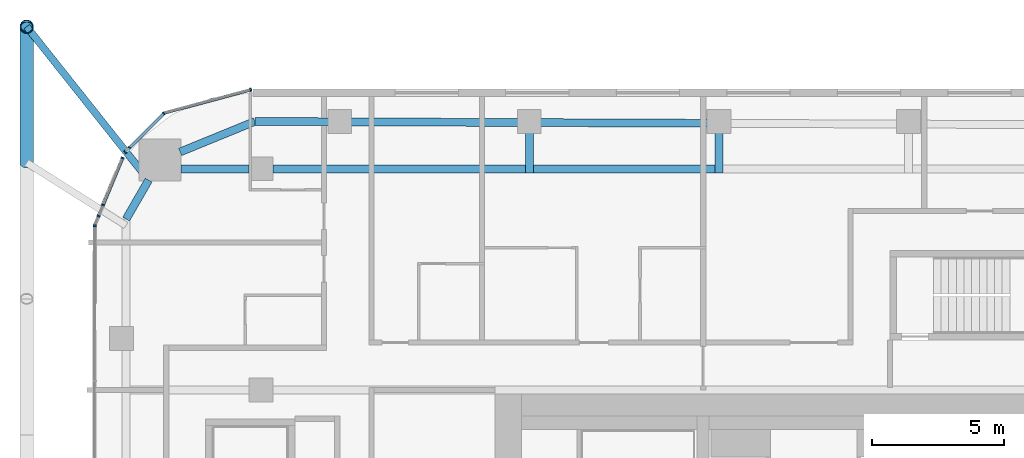
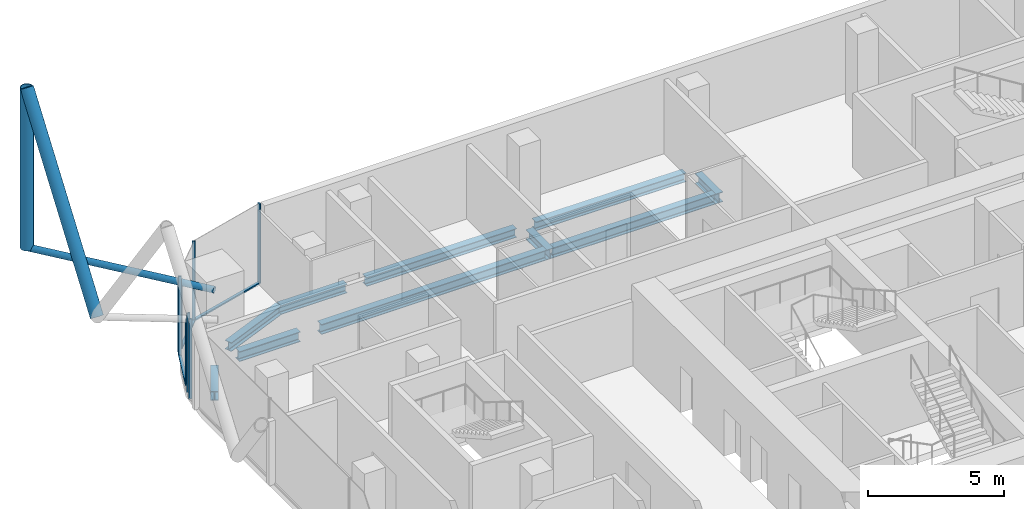
# One storey, part 11 of 36: 14 members, 10 beams, 7 elements without a shape of their own.
"""IFC4 building model written with IfcOpenShell, lengths in metres."""

from ifc_helpers import new_model, si_unit, direction, frame, origin, origin_2d, place, context, subcontext, project, spatial, rectangle, hollow_circle, i_section, extrude, material, layer, layer_set, material_profile, profile_set, type_object, element, aggregate, save


model = new_model("IFC4")

# Units and contexts
model_context = context("Model", 3, precision=1e-05, world=origin(), true_north=direction((0.0, 1.0)))
body_context = subcontext(model_context, "Body", "Model", "MODEL_VIEW")
ifc_project = project(units=[si_unit("LENGTHUNIT", "METRE"), si_unit("AREAUNIT", "SQUARE_METRE"), si_unit("VOLUMEUNIT", "CUBIC_METRE"), si_unit("PLANEANGLEUNIT", "RADIAN"), si_unit("MASSUNIT", "GRAM", prefix="KILO")], contexts=[model_context])

# Site, building, storey
site_placement = place(None, origin())
site = spatial("IfcSite", under=ifc_project, at=site_placement, CompositionType="ELEMENT")
building_placement = place(site_placement, origin())
building = spatial("IfcBuilding", under=site, at=building_placement, Name="Marenta Gate Hotel Tower", CompositionType="ELEMENT")
storey_placement = place(building_placement, frame((0.0, 0.0, 130.10009765625)))
storey = spatial("IfcBuildingStorey", under=building, at=storey_placement, Name="L29", CompositionType="ELEMENT", Elevation=130.10009765625)

# Members
ifc_material_1 = material(Name="Steel S355J2W", Category="steel")
ifc_material_profile_1 = material_profile(ifc_material_1, hollow_circle(Radius=0.25390625, WallThickness=0.02490234375, at=origin_2d()), Name="CHS 508x25")
ifc_profile_set_1 = profile_set([ifc_material_profile_1], Name="Steel S355J2W")
member_type_1 = type_object("IfcMemberType", Name="Diagrid corner post Z2 CHS 508x25", PredefinedType="POST", material=ifc_profile_set_1)
member_1_placement = place(storey_placement, frame((-29.89990234375, 30.60009765625, 3.139892578125), z_axis=(0.0, 0.0, 1.0), x_axis=(1.0, 0.0, 0.0)))
element("IfcMember", 1, at=member_1_placement, inside=storey, type_object=member_type_1, Name="L29-DR-6", PredefinedType="POST", context=body_context, shape_type="SweptSolid", body=[
    extrude(hollow_circle(Radius=0.25390625, WallThickness=0.02490234375, at=origin_2d()), origin(), (0.0, 0.0, 1.0), 7.199951171875),
])
ifc_material_2 = material(Name="Steel S355J2W", Category="steel")
ifc_material_profile_2 = material_profile(ifc_material_2, hollow_circle(Radius=0.25390625, WallThickness=0.0400390625, at=origin_2d()), Name="CHS 508x40")
ifc_profile_set_2 = profile_set([ifc_material_profile_2], Name="Steel S355J2W")
member_type_2 = type_object("IfcMemberType", Name="Diagrid diagonal Z2 CHS 508x40", PredefinedType="BRACE", material=ifc_profile_set_2)
member_2_placement = place(storey_placement, frame((-29.89990234375, 25.429931640625, 3.139892578125), z_axis=(0.0, 0.583279014058, 0.812271870595), x_axis=(-1.0, 0.0, 0.0)))
element("IfcMember", 2, at=member_2_placement, inside=storey, type_object=member_type_2, Name="L29-DG-34", PredefinedType="BRACE", context=body_context, shape_type="SweptSolid", body=[
    extrude(hollow_circle(Radius=0.25390625, WallThickness=0.0400390625, at=origin_2d()), origin(), (0.0, 0.0, 1.0), 8.864013671875),
])

# Beams
ifc_material_3 = material(Name="Steel S355", Category="steel")
ifc_material_profile_3 = material_profile(ifc_material_3, i_section(OverallWidth=0.300048828125, OverallDepth=0.39990234375, WebThickness=0.013427734375, FlangeThickness=0.02392578125, FilletRadius=0.027099609375, at=origin_2d()), Name="HEB 400")
ifc_profile_set_3 = profile_set([ifc_material_profile_3], Name="Steel S355")
beam_type_1 = type_object("IfcBeamType", Name="Edge beam HEB 400", PredefinedType="SPANDREL", material=ifc_profile_set_3)
beam_1_placement = place(storey_placement, frame((-26.121337890625, 23.291748046875, -0.460205078125), z_axis=(0.500015459501, 0.866016478054, 0.0), x_axis=(-0.866016478054, 0.500015459501, 0.0)))
element("IfcBeam", 3, at=beam_1_placement, inside=storey, type_object=beam_type_1, Name="L29-EB-11", PredefinedType="SPANDREL", context=body_context, shape_type="SweptSolid", body=[
    extrude(i_section(OverallWidth=0.300048828125, OverallDepth=0.39990234375, WebThickness=0.013427734375, FlangeThickness=0.02392578125, FilletRadius=0.027099609375, at=origin_2d()), origin(), (0.0, 0.0, 1.0), 1.70703125),
])
beam_2_placement = place(storey_placement, frame((-24.072509765625, 25.839111328125, -0.460205078125), z_axis=(0.925565978946, 0.378586342356, 0.0), x_axis=(-0.378586342356, 0.925565978946, 0.0)))
element("IfcBeam", 4, at=beam_2_placement, inside=storey, type_object=beam_type_1, Name="L29-EB-12", PredefinedType="SPANDREL", context=body_context, shape_type="SweptSolid", body=[
    extrude(i_section(OverallWidth=0.300048828125, OverallDepth=0.39990234375, WebThickness=0.013427734375, FlangeThickness=0.02392578125, FilletRadius=0.027099609375, at=origin_2d()), origin(), (0.0, 0.0, 1.0), 3.06640625),
])
beam_3_placement = place(storey_placement, frame((-21.234375, 27.0, -0.460205078125), z_axis=(0.999991706293, -0.004072756516, 0.0), x_axis=(0.004072756516, 0.999991706293, 0.0)))
element("IfcBeam", 5, at=beam_3_placement, inside=storey, type_object=beam_type_1, Name="L29-EB-13", PredefinedType="SPANDREL", context=body_context, shape_type="SweptSolid", body=[
    extrude(i_section(OverallWidth=0.300048828125, OverallDepth=0.39990234375, WebThickness=0.013427734375, FlangeThickness=0.02392578125, FilletRadius=0.027099609375, at=origin_2d()), origin(), (0.0, 0.0, 1.0), 2.8173828125),
])
beam_4_placement = place(storey_placement, frame((-17.596923828125, 26.985107421875, -0.460205078125), z_axis=(0.999991780748, -0.00405443424, 0.0), x_axis=(0.00405443424, 0.999991780748, 0.0)))
element("IfcBeam", 6, at=beam_4_placement, inside=storey, type_object=beam_type_1, Name="L29-EB-14", PredefinedType="SPANDREL", context=body_context, shape_type="SweptSolid", body=[
    extrude(i_section(OverallWidth=0.300048828125, OverallDepth=0.39990234375, WebThickness=0.013427734375, FlangeThickness=0.02392578125, FilletRadius=0.027099609375, at=origin_2d()), origin(), (0.0, 0.0, 1.0), 6.3828125),
])
beam_5_placement = place(storey_placement, frame((-10.39404296875, 26.955810546875, -0.460205078125), z_axis=(0.999991624297, -0.004092839529, 0.0), x_axis=(0.004092839529, 0.999991624297, 0.0)))
element("IfcBeam", 7, at=beam_5_placement, inside=storey, type_object=beam_type_1, Name="L29-EB-15", PredefinedType="SPANDREL", context=body_context, shape_type="SweptSolid", body=[
    extrude(i_section(OverallWidth=0.300048828125, OverallDepth=0.39990234375, WebThickness=0.013427734375, FlangeThickness=0.02392578125, FilletRadius=0.027099609375, at=origin_2d()), origin(), (0.0, 0.0, 1.0), 6.382568359375),
])

# Member
ifc_material_4 = material(Name="Steel S355J2W", Category="steel")
ifc_material_profile_4 = material_profile(ifc_material_4, hollow_circle(Radius=0.136474609375, WallThickness=0.012451171875, at=origin_2d()), Name="CHS 273x12.5")
ifc_profile_set_4 = profile_set([ifc_material_profile_4], Name="Steel S355J2W")
member_type_3 = type_object("IfcMemberType", Name="Floor tie CHS 273x12.5", PredefinedType="STRUT", material=ifc_profile_set_4)
member_3_placement = place(storey_placement, frame((-29.89990234375, 30.60009765625, 3.139892578125), z_axis=(0.622094046149, -0.782942525187, 0.0), x_axis=(0.782942525187, 0.622094046149, 0.0)))
element("IfcMember", 8, at=member_3_placement, inside=storey, type_object=member_type_3, Name="L29-DR-22", PredefinedType="STRUT", context=body_context, shape_type="SweptSolid", body=[
    extrude(hollow_circle(Radius=0.136474609375, WallThickness=0.012451171875, at=origin_2d()), origin(), (0.0, 0.0, 1.0), 7.43896484375),
])

# Beams
ifc_material_5 = material(Name="Steel S355", Category="steel")
ifc_material_profile_5 = material_profile(ifc_material_5, i_section(OverallWidth=0.300048828125, OverallDepth=0.449951171875, WebThickness=0.013916015625, FlangeThickness=0.02587890625, FilletRadius=0.027099609375, at=origin_2d()), Name="HEB 450")
ifc_profile_set_5 = profile_set([ifc_material_profile_5], Name="Steel S355")
beam_type_2 = type_object("IfcBeamType", Name="Girder HEB 450", PredefinedType="BEAM", material=ifc_profile_set_5)
beam_6_placement = place(storey_placement, frame((-24.035400390625, 25.199951171875, -0.485107421875), z_axis=(1.0, 0.0, 0.0), x_axis=(0.0, 1.0, 0.0)))
element("IfcBeam", 9, at=beam_6_placement, inside=storey, type_object=beam_type_2, Name="L29-GD-29", PredefinedType="BEAM", context=body_context, shape_type="SweptSolid", body=[
    extrude(i_section(OverallWidth=0.300048828125, OverallDepth=0.449951171875, WebThickness=0.013916015625, FlangeThickness=0.02587890625, FilletRadius=0.027099609375, at=origin_2d()), origin(), (0.0, 0.0, 1.0), 2.58544921875),
])
beam_7_placement = place(storey_placement, frame((-20.550048828125, 25.199951171875, -0.485107421875), z_axis=(1.0, 0.0, 0.0), x_axis=(0.0, 1.0, 0.0)))
element("IfcBeam", 10, at=beam_7_placement, inside=storey, type_object=beam_type_2, Name="L29-GD-30", PredefinedType="BEAM", context=body_context, shape_type="SweptSolid", body=[
    extrude(i_section(OverallWidth=0.300048828125, OverallDepth=0.449951171875, WebThickness=0.013916015625, FlangeThickness=0.02587890625, FilletRadius=0.027099609375, at=origin_2d()), origin(), (0.0, 0.0, 1.0), 9.595947265625),
])
beam_8_placement = place(storey_placement, frame((-10.654052734375, 25.199951171875, -0.485107421875), z_axis=(1.0, 0.0, 0.0), x_axis=(0.0, 1.0, 0.0)))
element("IfcBeam", 11, at=beam_8_placement, inside=storey, type_object=beam_type_2, Name="L29-GD-31", PredefinedType="BEAM", context=body_context, shape_type="SweptSolid", body=[
    extrude(i_section(OverallWidth=0.300048828125, OverallDepth=0.449951171875, WebThickness=0.013916015625, FlangeThickness=0.02587890625, FilletRadius=0.027099609375, at=origin_2d()), origin(), (0.0, 0.0, 1.0), 6.902587890625),
])
ifc_material_6 = material(Name="Steel S355", Category="steel")
ifc_material_profile_6 = material_profile(ifc_material_6, i_section(OverallWidth=0.300048828125, OverallDepth=0.449951171875, WebThickness=0.013916015625, FlangeThickness=0.02587890625, FilletRadius=0.027099609375, at=origin_2d()), Name="HEB 450")
ifc_profile_set_6 = profile_set([ifc_material_profile_6], Name="Steel S355")
beam_type_3 = type_object("IfcBeamType", Name="Girder bracket HEB 450", PredefinedType="BEAM", material=ifc_profile_set_6)
for number, where, z_axis, x_axis, name in (
    (12, (-10.80419921875, 25.050048828125, -0.485107421875), (0.0, 1.0, 0.0), (-1.0, 0.0, 0.0), "L29-GS-1"),
    (13, (-3.601318359375, 25.050048828125, -0.485107421875), (0.0, 1.0, 0.0), (-1.0, 0.0, 0.0), "L29-GS-2"),
):
    element("IfcBeam", number, at=place(storey_placement, frame(where, z_axis=z_axis, x_axis=x_axis)), inside=storey, type_object=beam_type_3, Name=name, PredefinedType="BEAM", context=body_context, shape_type="SweptSolid", body=[
        extrude(i_section(OverallWidth=0.300048828125, OverallDepth=0.449951171875, WebThickness=0.013916015625, FlangeThickness=0.02587890625, FilletRadius=0.027099609375, at=origin_2d()), origin(), (0.0, 0.0, 1.0), 1.5400390625),
    ])

# Curtain wall, member
ifc_material_7 = material(Name="Tinted insulated glass in bronze anodised frame", Category="glass")
ifc_layer = layer(ifc_material_7, 0.1201171875)
ifc_layer_set = layer_set([ifc_layer], Name="Tinted insulated glass in bronze anodised frame")
curtain_wall_type = type_object("IfcCurtainWallType", Name="Tower unitised curtain wall CW1", PredefinedType="NOTDEFINED", material=ifc_layer_set)
curtain_wall_1_placement = place(storey_placement, origin())
curtain_wall_1 = element("IfcCurtainWall", 14, at=curtain_wall_1_placement, inside=storey, type_object=curtain_wall_type, Name="CW1 run G00", PredefinedType="NOTDEFINED")
ifc_material_8 = material(Name="Bronze anodised aluminium", Category="aluminium")
ifc_material_profile_7 = material_profile(ifc_material_8, rectangle(XDim=0.1201171875, YDim=0.06005859375, at=origin_2d()), Name="Mullion CW1 60x120 bronze anodised aluminium")
ifc_profile_set_7 = profile_set([ifc_material_profile_7], Name="Bronze anodised aluminium")
member_type_4 = type_object("IfcMemberType", Name="Mullion CW1 60x120 bronze anodised aluminium", PredefinedType="MULLION", material=ifc_profile_set_7)
member_4_placement = place(storey_placement, frame((-21.385498046875, 28.203125, 0.0), z_axis=(0.0, 0.0, 1.0), x_axis=(0.258801234873, -0.96593059835, 0.0)))
member_4 = element("IfcMember", 15, at=member_4_placement, type_object=member_type_4, Name="CW1 mullion 1", PredefinedType="MULLION", context=body_context, shape_type="SweptSolid", body=[
    extrude(rectangle(XDim=0.1201171875, YDim=0.06005859375, at=origin_2d()), origin(), (0.0, 0.0, 1.0), 3.599853515625),
])

curtain_wall_2_placement = place(storey_placement, origin())
curtain_wall_2 = element("IfcCurtainWall", 16, at=curtain_wall_2_placement, inside=storey, type_object=curtain_wall_type, Name="CW1 run G01", PredefinedType="NOTDEFINED")
member_5_placement = place(storey_placement, frame((-24.68798828125, 27.302978515625, 0.0), z_axis=(0.0, 0.0, 1.0), x_axis=(0.707106781187, -0.707106781187, 0.0)))
member_5 = element("IfcMember", 17, at=member_5_placement, type_object=member_type_4, Name="CW1 mullion 1", PredefinedType="MULLION", context=body_context, shape_type="SweptSolid", body=[
    extrude(rectangle(XDim=0.1201171875, YDim=0.06005859375, at=origin_2d()), origin(), (0.0, 0.0, 1.0), 3.599853515625),
])

# Curtain wall, members
curtain_wall_3_placement = place(storey_placement, origin())
curtain_wall_3 = element("IfcCurtainWall", 18, at=curtain_wall_3_placement, inside=storey, type_object=curtain_wall_type, Name="CW1 run G02", PredefinedType="NOTDEFINED")
member_6_placement = place(storey_placement, frame((-25.992431640625, 25.998291015625, 0.0), z_axis=(0.0, 0.0, 1.0), x_axis=(0.707106781187, -0.707106781187, 0.0)))
member_6 = element("IfcMember", 19, at=member_6_placement, type_object=member_type_4, Name="CW1 mullion 1", PredefinedType="MULLION", context=body_context, shape_type="SweptSolid", body=[
    extrude(rectangle(XDim=0.1201171875, YDim=0.06005859375, at=origin_2d()), origin(), (0.0, 0.0, 1.0), 3.00048828125),
])
member_7_placement = place(storey_placement, frame((-26.151123046875, 25.839599609375, 0.0), z_axis=(0.0, 0.0, 1.0), x_axis=(0.707106781187, -0.707106781187, 0.0)))
member_7 = element("IfcMember", 20, at=member_7_placement, type_object=member_type_4, Name="CW1 mullion 2", PredefinedType="MULLION", context=body_context, shape_type="SweptSolid", body=[
    extrude(rectangle(XDim=0.1201171875, YDim=0.06005859375, at=origin_2d()), origin(), (0.0, 0.0, 1.0), 3.00048828125),
])
aggregate(curtain_wall_3, [member_6, member_7])

# Curtain wall, member
curtain_wall_4_placement = place(storey_placement, origin())
curtain_wall_4 = element("IfcCurtainWall", 21, at=curtain_wall_4_placement, inside=storey, type_object=curtain_wall_type, Name="CW1 run G03", PredefinedType="NOTDEFINED")
member_8_placement = place(storey_placement, frame((-26.25830078125, 25.610595703125, 0.0), z_axis=(0.0, 0.0, 1.0), x_axis=(0.923875335632, -0.382693564371, 0.0)))
member_8 = element("IfcMember", 22, at=member_8_placement, type_object=member_type_4, Name="CW1 mullion 1", PredefinedType="MULLION", context=body_context, shape_type="SweptSolid", body=[
    extrude(rectangle(XDim=0.1201171875, YDim=0.06005859375, at=origin_2d()), origin(), (0.0, 0.0, 1.0), 3.599853515625),
])

curtain_wall_5_placement = place(storey_placement, origin())
curtain_wall_5 = element("IfcCurtainWall", 23, at=curtain_wall_5_placement, inside=storey, type_object=curtain_wall_type, Name="CW1 run G04", PredefinedType="NOTDEFINED")
member_9_placement = place(storey_placement, frame((-26.996826171875, 23.827880859375, 0.0), z_axis=(0.0, 0.0, 1.0), x_axis=(0.923815303293, -0.382838458625, 0.0)))
member_9 = element("IfcMember", 24, at=member_9_placement, type_object=member_type_4, Name="CW1 mullion 1", PredefinedType="MULLION", context=body_context, shape_type="SweptSolid", body=[
    extrude(rectangle(XDim=0.1201171875, YDim=0.06005859375, at=origin_2d()), origin(), (0.0, 0.0, 1.0), 3.00048828125),
])
aggregate(curtain_wall_5, [member_9])

curtain_wall_6_placement = place(storey_placement, origin())
curtain_wall_6 = element("IfcCurtainWall", 25, at=curtain_wall_6_placement, inside=storey, type_object=curtain_wall_type, Name="CW1 run G05", PredefinedType="NOTDEFINED")
member_10_placement = place(storey_placement, frame((-27.1728515625, 23.4033203125, 0.0), z_axis=(0.0, 0.0, 1.0), x_axis=(0.923973627119, -0.382456188848, 0.0)))
member_10 = element("IfcMember", 26, at=member_10_placement, type_object=member_type_4, Name="CW1 mullion 1", PredefinedType="MULLION", context=body_context, shape_type="SweptSolid", body=[
    extrude(rectangle(XDim=0.1201171875, YDim=0.06005859375, at=origin_2d()), origin(), (0.0, 0.0, 1.0), 3.599853515625),
])
aggregate(curtain_wall_6, [member_10])

curtain_wall_7_placement = place(storey_placement, origin())
curtain_wall_7 = element("IfcCurtainWall", 27, at=curtain_wall_7_placement, inside=storey, type_object=curtain_wall_type, Name="CW1 run G06", PredefinedType="NOTDEFINED")
member_11_placement = place(storey_placement, frame((-27.312255859375, 23.0361328125, 0.0), z_axis=(0.0, 0.0, 1.0), x_axis=(0.999998768051, -0.001569680138, 0.0)))
member_11 = element("IfcMember", 28, at=member_11_placement, type_object=member_type_4, Name="CW1 mullion 1", PredefinedType="MULLION", context=body_context, shape_type="SweptSolid", body=[
    extrude(rectangle(XDim=0.1201171875, YDim=0.06005859375, at=origin_2d()), origin(), (0.0, 0.0, 1.0), 3.599853515625),
])
aggregate(curtain_wall_7, [member_11])

# Member
ifc_material_9 = material(Name="Bronze anodised aluminium", Category="aluminium")
ifc_material_profile_8 = material_profile(ifc_material_9, rectangle(XDim=0.1201171875, YDim=0.06005859375, at=origin_2d()), Name="Transom CW1 60x120 bronze anodised aluminium")
ifc_profile_set_8 = profile_set([ifc_material_profile_8], Name="Bronze anodised aluminium")
member_type_5 = type_object("IfcMemberType", Name="Transom CW1 60x120 bronze anodised aluminium", PredefinedType="USERDEFINED", material=ifc_profile_set_8)
member_12_placement = place(storey_placement, frame((-21.41455078125, 28.195556640625, 0.02978515625), z_axis=(-0.965932192411, -0.258795285243, 0.0), x_axis=(0.258795285243, -0.965932192411, 0.0)))
member_12 = element("IfcMember", 29, at=member_12_placement, type_object=member_type_5, Name="CW1 transom 1.1", ObjectType="TRANSOM", PredefinedType="USERDEFINED", context=body_context, shape_type="SweptSolid", body=[
    extrude(rectangle(XDim=0.1201171875, YDim=0.06005859375, at=origin_2d()), origin(), (0.0, 0.0, 1.0), 3.366943359375),
])

aggregate(curtain_wall_1, [member_4, member_12])

member_13_placement = place(storey_placement, frame((-24.709228515625, 27.28173828125, 0.02978515625), z_axis=(-0.707038385696, -0.707175170062, 0.0), x_axis=(0.707175170062, -0.707038385696, 0.0)))
member_13 = element("IfcMember", 30, at=member_13_placement, type_object=member_type_5, Name="CW1 transom 1.1", ObjectType="TRANSOM", PredefinedType="USERDEFINED", context=body_context, shape_type="SweptSolid", body=[
    extrude(rectangle(XDim=0.1201171875, YDim=0.06005859375, at=origin_2d()), origin(), (0.0, 0.0, 1.0), 1.784912109375),
])

aggregate(curtain_wall_2, [member_5, member_13])

member_14_placement = place(storey_placement, frame((-26.269775390625, 25.582763671875, 0.02978515625), z_axis=(-0.38277854418, -0.923840130171, 0.0), x_axis=(0.923840130171, -0.38277854418, 0.0)))
member_14 = element("IfcMember", 31, at=member_14_placement, type_object=member_type_5, Name="CW1 transom 1.1", ObjectType="TRANSOM", PredefinedType="USERDEFINED", context=body_context, shape_type="SweptSolid", body=[
    extrude(rectangle(XDim=0.1201171875, YDim=0.06005859375, at=origin_2d()), origin(), (0.0, 0.0, 1.0), 1.869384765625),
])

aggregate(curtain_wall_4, [member_8, member_14])

save(model, "model.ifc")
